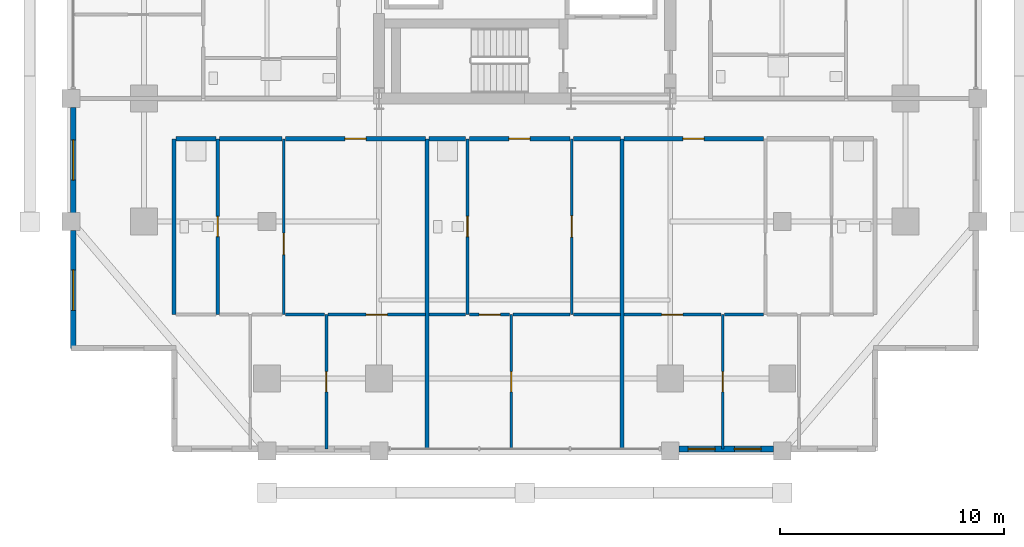
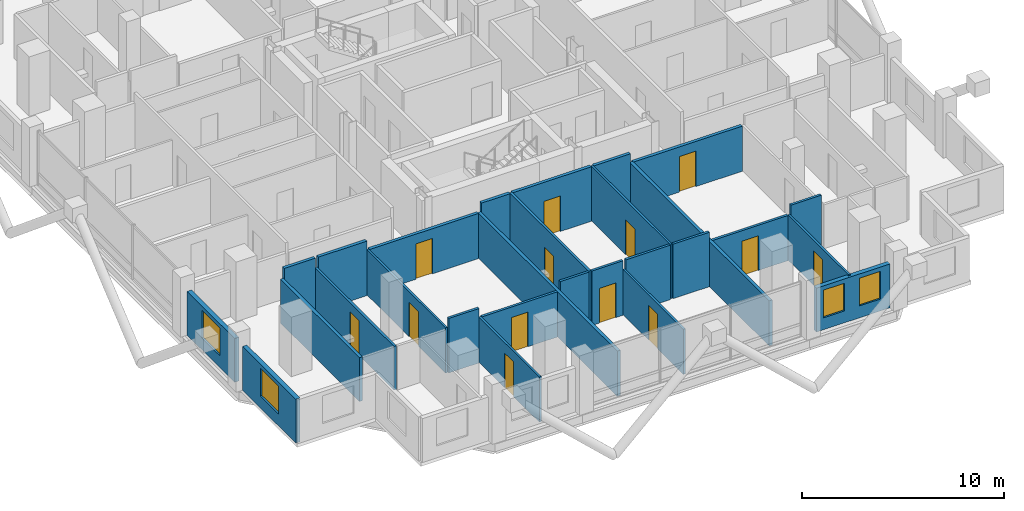
# One storey, part 17 of 23: 28 walls, 13 doors, 4 windows, 17 openings.
"""IFC4 building model written with IfcOpenShell, lengths in metres."""

from ifc_helpers import new_model, si_unit, direction, frame, frame_2d, origin, place, context, subcontext, project, spatial, rectangle, extrude, material, layer, layer_set, type_object, element, fill, save


model = new_model("IFC4")

# Units and contexts
model_context = context("Model", 3, precision=1e-05, world=origin(), true_north=direction((0.0, 1.0)))
body_context = subcontext(model_context, "Body", "Model", "MODEL_VIEW")
ifc_project = project(units=[si_unit("LENGTHUNIT", "METRE"), si_unit("AREAUNIT", "SQUARE_METRE"), si_unit("VOLUMEUNIT", "CUBIC_METRE"), si_unit("PLANEANGLEUNIT", "RADIAN"), si_unit("MASSUNIT", "GRAM", prefix="KILO")], contexts=[model_context])

# Site, building, storey
site_placement = place(None, origin())
site = spatial("IfcSite", under=ifc_project, at=site_placement, CompositionType="ELEMENT")
building_placement = place(site_placement, origin())
building = spatial("IfcBuilding", under=site, at=building_placement, Name="Barlavira Tower and Art Museum", CompositionType="ELEMENT")
storey_placement = place(building_placement, frame((0.0, 0.0, 117.0)))
storey = spatial("IfcBuildingStorey", under=building, at=storey_placement, Name="L29", CompositionType="ELEMENT", Elevation=117.0)

# Wall, opening, door
ifc_material_1 = material(Name="Gypsum acoustic stud partition", Category="gypsum")
ifc_layer_1 = layer(ifc_material_1, 0.1201171875, Name="Gypsum acoustic stud partition")
ifc_layer_set_1 = layer_set([ifc_layer_1], Name="Gypsum acoustic stud partition")
wall_type_1 = type_object("IfcWallType", Name="Apartment Internal Acoustic Partition 120", PredefinedType="PARTITIONING", material=ifc_layer_set_1)
wall_1_placement = place(storey_placement, frame((-10.75, -17.14990234375, 0.0), z_axis=(0.0, 0.0, 1.0), x_axis=(0.0, 1.0, 0.0)))
wall_1 = element("IfcWall", 1, at=wall_1_placement, inside=storey, type_object=wall_type_1, Name="L29 Partition Wall 8", PredefinedType="PARTITIONING", context=body_context, shape_type="SweptSolid", body=[
    extrude(rectangle(XDim=7.849853515625, YDim=0.1201171875, at=frame_2d((3.9248046875, 0.0))), origin(), (0.0, 0.0, 1.0), 2.736083984375),
])
opening_1_placement = place(wall_1_placement, frame((2.681396484375, 0.0, 0.0)))
opening_1 = element("IfcOpeningElement", 2, at=opening_1_placement, cuts=wall_1, Name="Opening D-02", PredefinedType="OPENING", context=body_context, shape_type="SweptSolid", body=[
    extrude(rectangle(XDim=0.949951171875, YDim=2.10009765625, at=frame_2d((0.47509765625, 1.050048828125))), frame((0.0, 0.070068359375, 0.0), z_axis=(0.0, -1.0, 0.0), x_axis=(1.0, 0.0, 0.0)), (0.0, 0.0, 1.0), 0.14013671875),
])
ifc_material_2 = material(Name="Engineered coastal hardwood", Category="wood")
door_type_1 = type_object("IfcDoorType", Name="Living and Salon Glazed-Leaf Door 950x2100", OperationType="NOTDEFINED", PredefinedType="DOOR", material=ifc_material_2)
door_1_placement = place(opening_1_placement, origin())
door_1 = element("IfcDoor", 3, at=door_1_placement, inside=storey, type_object=door_type_1, Name="Apartment S1 Kitchen Door", OperationType="SINGLE_SWING_RIGHT", OverallHeight=2.10009765625, OverallWidth=0.949951171875, PredefinedType="DOOR", context=body_context, shape_type="SweptSolid", body=[
    extrude(rectangle(XDim=0.949951171875, YDim=2.10009765625, at=frame_2d((0.47509765625, 1.050048828125))), frame((0.0, 0.02490234375, 0.0), z_axis=(0.0, -1.0, 0.0), x_axis=(1.0, 0.0, 0.0)), (0.0, 0.0, 1.0), 0.050048828125),
])
fill(opening_1, door_1)

wall_2_placement = place(storey_placement, frame((-8.85009765625, -23.14990234375, 0.0), z_axis=(0.0, 0.0, 1.0), x_axis=(0.0, 1.0, 0.0)))
wall_2 = element("IfcWall", 4, at=wall_2_placement, inside=storey, type_object=wall_type_1, Name="L29 Partition Wall 9", PredefinedType="PARTITIONING", context=body_context, shape_type="SweptSolid", body=[
    extrude(rectangle(XDim=6.0, YDim=0.1201171875, at=frame_2d((3.0, 0.0))), origin(), (0.0, 0.0, 1.0), 2.736083984375),
])
opening_2_placement = place(wall_2_placement, frame((2.550048828125, 0.0, 0.0)))
opening_2 = element("IfcOpeningElement", 5, at=opening_2_placement, cuts=wall_2, Name="Opening D-01", PredefinedType="OPENING", context=body_context, shape_type="SweptSolid", body=[
    extrude(rectangle(XDim=0.89990234375, YDim=2.10009765625, at=frame_2d((0.449951171875, 1.050048828125))), frame((0.0, 0.070068359375, 0.0), z_axis=(0.0, -1.0, 0.0), x_axis=(1.0, 0.0, 0.0)), (0.0, 0.0, 1.0), 0.14013671875),
])
door_type_2 = type_object("IfcDoorType", Name="Internal Bedroom Timber Flush Door 900x2100", OperationType="NOTDEFINED", PredefinedType="DOOR", material=ifc_material_2)
door_2_placement = place(opening_2_placement, origin())
door_2 = element("IfcDoor", 6, at=door_2_placement, inside=storey, type_object=door_type_2, Name="Apartment S1 Bedroom 1 Door", OperationType="SINGLE_SWING_LEFT", OverallHeight=2.10009765625, OverallWidth=0.89990234375, PredefinedType="DOOR", context=body_context, shape_type="SweptSolid", body=[
    extrude(rectangle(XDim=0.89990234375, YDim=2.10009765625, at=frame_2d((0.449951171875, 1.050048828125))), frame((0.0, 0.02490234375, 0.0), z_axis=(0.0, -1.0, 0.0), x_axis=(1.0, 0.0, 0.0)), (0.0, 0.0, 1.0), 0.050048828125),
])
fill(opening_2, door_2)

wall_3_placement = place(storey_placement, frame((-0.60009765625, -23.14990234375, 0.0), z_axis=(0.0, 0.0, 1.0), x_axis=(0.0, 1.0, 0.0)))
wall_3 = element("IfcWall", 7, at=wall_3_placement, inside=storey, type_object=wall_type_1, Name="L29 Partition Wall 15", PredefinedType="PARTITIONING", context=body_context, shape_type="SweptSolid", body=[
    extrude(rectangle(XDim=6.0, YDim=0.1201171875, at=frame_2d((3.0, 0.0))), origin(), (0.0, 0.0, 1.0), 2.736083984375),
])
opening_3_placement = place(wall_3_placement, frame((2.550048828125, 0.0, 0.0)))
opening_3 = element("IfcOpeningElement", 8, at=opening_3_placement, cuts=wall_3, Name="Opening D-01", PredefinedType="OPENING", context=body_context, shape_type="SweptSolid", body=[
    extrude(rectangle(XDim=0.89990234375, YDim=2.10009765625, at=frame_2d((0.449951171875, 1.050048828125))), frame((0.0, 0.070068359375, 0.0), z_axis=(0.0, -1.0, 0.0), x_axis=(1.0, 0.0, 0.0)), (0.0, 0.0, 1.0), 0.14013671875),
])
door_3_placement = place(opening_3_placement, origin())
door_3 = element("IfcDoor", 9, at=door_3_placement, inside=storey, type_object=door_type_2, Name="Apartment S2 Bedroom 1 Door", OperationType="SINGLE_SWING_LEFT", OverallHeight=2.10009765625, OverallWidth=0.89990234375, PredefinedType="DOOR", context=body_context, shape_type="SweptSolid", body=[
    extrude(rectangle(XDim=0.89990234375, YDim=2.10009765625, at=frame_2d((0.449951171875, 1.050048828125))), frame((0.0, 0.02490234375, 0.0), z_axis=(0.0, -1.0, 0.0), x_axis=(1.0, 0.0, 0.0)), (0.0, 0.0, 1.0), 0.050048828125),
])
fill(opening_3, door_3)

wall_4_placement = place(storey_placement, frame((2.10009765625, -17.14990234375, 0.0), z_axis=(0.0, 0.0, 1.0), x_axis=(0.0, 1.0, 0.0)))
wall_4 = element("IfcWall", 10, at=wall_4_placement, inside=storey, type_object=wall_type_1, Name="L29 Partition Wall 17", PredefinedType="PARTITIONING", context=body_context, shape_type="SweptSolid", body=[
    extrude(rectangle(XDim=7.849853515625, YDim=0.1201171875, at=frame_2d((3.9248046875, 0.0))), origin(), (0.0, 0.0, 1.0), 3.300048828125),
])
opening_4_placement = place(wall_4_placement, frame((3.455078125, 0.0, 0.0)))
opening_4 = element("IfcOpeningElement", 11, at=opening_4_placement, cuts=wall_4, Name="Opening D-02", PredefinedType="OPENING", context=body_context, shape_type="SweptSolid", body=[
    extrude(rectangle(XDim=0.949951171875, YDim=2.10009765625, at=frame_2d((0.47509765625, 1.050048828125))), frame((0.0, 0.070068359375, 0.0), z_axis=(0.0, -1.0, 0.0), x_axis=(1.0, 0.0, 0.0)), (0.0, 0.0, 1.0), 0.14013671875),
])
door_4_placement = place(opening_4_placement, origin())
door_4 = element("IfcDoor", 12, at=door_4_placement, inside=storey, type_object=door_type_1, Name="Apartment S2 Kitchen Door", OperationType="SINGLE_SWING_LEFT", OverallHeight=2.10009765625, OverallWidth=0.949951171875, PredefinedType="DOOR", context=body_context, shape_type="SweptSolid", body=[
    extrude(rectangle(XDim=0.949951171875, YDim=2.10009765625, at=frame_2d((0.47509765625, 1.050048828125))), frame((0.0, 0.02490234375, 0.0), z_axis=(0.0, -1.0, 0.0), x_axis=(1.0, 0.0, 0.0)), (0.0, 0.0, 1.0), 0.050048828125),
])
fill(opening_4, door_4)

wall_5_placement = place(storey_placement, frame((8.85009765625, -23.14990234375, 0.0), z_axis=(0.0, 0.0, 1.0), x_axis=(0.0, 1.0, 0.0)))
wall_5 = element("IfcWall", 13, at=wall_5_placement, inside=storey, type_object=wall_type_1, Name="L29 Partition Wall 22", PredefinedType="PARTITIONING", context=body_context, shape_type="SweptSolid", body=[
    extrude(rectangle(XDim=6.0, YDim=0.1201171875, at=frame_2d((3.0, 0.0))), origin(), (0.0, 0.0, 1.0), 2.736083984375),
])
opening_5_placement = place(wall_5_placement, frame((2.550048828125, 0.0, 0.0)))
opening_5 = element("IfcOpeningElement", 14, at=opening_5_placement, cuts=wall_5, Name="Opening D-01", PredefinedType="OPENING", context=body_context, shape_type="SweptSolid", body=[
    extrude(rectangle(XDim=0.89990234375, YDim=2.10009765625, at=frame_2d((0.449951171875, 1.050048828125))), frame((0.0, 0.070068359375, 0.0), z_axis=(0.0, -1.0, 0.0), x_axis=(1.0, 0.0, 0.0)), (0.0, 0.0, 1.0), 0.14013671875),
])
door_5_placement = place(opening_5_placement, origin())
door_5 = element("IfcDoor", 15, at=door_5_placement, inside=storey, type_object=door_type_2, Name="Apartment S3 Bedroom 1 Door", OperationType="SINGLE_SWING_RIGHT", OverallHeight=2.10009765625, OverallWidth=0.89990234375, PredefinedType="DOOR", context=body_context, shape_type="SweptSolid", body=[
    extrude(rectangle(XDim=0.89990234375, YDim=2.10009765625, at=frame_2d((0.449951171875, 1.050048828125))), frame((0.0, 0.02490234375, 0.0), z_axis=(0.0, -1.0, 0.0), x_axis=(1.0, 0.0, 0.0)), (0.0, 0.0, 1.0), 0.050048828125),
])
fill(opening_5, door_5)

# Walls
ifc_layer_2 = layer(ifc_material_1, 0.179931640625, Name="Gypsum acoustic stud partition")
ifc_layer_set_2 = layer_set([ifc_layer_2], Name="Gypsum acoustic stud partition")
wall_type_2 = type_object("IfcWallType", Name="Inter-Tenancy Party Partition Wall 180", PredefinedType="PARTITIONING", material=ifc_layer_set_2)
wall_6_placement = place(storey_placement, frame((-15.64990234375, -17.14990234375, 0.0), z_axis=(0.0, 0.0, 1.0), x_axis=(0.0, 1.0, 0.0)))
element("IfcWall", 16, at=wall_6_placement, inside=storey, type_object=wall_type_2, Name="L29 Partition Wall 1", PredefinedType="PARTITIONING", context=body_context, shape_type="SweptSolid", body=[
    extrude(rectangle(XDim=7.849853515625, YDim=0.179931640625, at=frame_2d((3.9248046875, 0.0))), origin(), (0.0, 0.0, 1.0), 2.656005859375),
])
for number, where, z_axis, x_axis, name in (
    (17, (-4.35009765625, -23.14990234375, 0.0), (0.0, 0.0, 1.0), (0.0, 1.0, 0.0), "L29 Partition Wall 12"),
    (18, (4.35009765625, -23.14990234375, 0.0), (0.0, 0.0, 1.0), (0.0, 1.0, 0.0), "L29 Partition Wall 19"),
):
    element("IfcWall", number, at=place(storey_placement, frame(where, z_axis=z_axis, x_axis=x_axis)), inside=storey, type_object=wall_type_2, Name=name, PredefinedType="PARTITIONING", context=body_context, shape_type="SweptSolid", body=[
        extrude(rectangle(XDim=13.849853515625, YDim=0.179931640625, at=frame_2d((6.9248046875, 0.0))), origin(), (0.0, 0.0, 1.0), 2.736083984375),
    ])
wall_7_placement = place(storey_placement, frame((-15.570068359375, -9.300048828125, 0.0), z_axis=(0.0, 0.0, 1.0), x_axis=(1.0, 0.0, 0.0)))
element("IfcWall", 19, at=wall_7_placement, inside=storey, type_object=wall_type_2, Name="L29 Partition Wall 44", PredefinedType="PARTITIONING", context=body_context, shape_type="SweptSolid", body=[
    extrude(rectangle(XDim=1.7900390625, YDim=0.179931640625, at=frame_2d((0.89501953125, 0.0))), origin(), (0.0, 0.0, 1.0), 3.300048828125),
])
wall_8_placement = place(storey_placement, frame((-13.6201171875, -9.300048828125, 0.0), z_axis=(0.0, 0.0, 1.0), x_axis=(1.0, 0.0, 0.0)))
element("IfcWall", 20, at=wall_8_placement, inside=storey, type_object=wall_type_2, Name="L29 Partition Wall 45", PredefinedType="PARTITIONING", context=body_context, shape_type="SweptSolid", body=[
    extrude(rectangle(XDim=2.7900390625, YDim=0.179931640625, at=frame_2d((1.39501953125, 0.0))), origin(), (0.0, 0.0, 1.0), 3.300048828125),
])

# Wall, opening, door
wall_9_placement = place(storey_placement, frame((-10.669921875, -9.300048828125, 0.0), z_axis=(0.0, 0.0, 1.0), x_axis=(1.0, 0.0, 0.0)))
wall_9 = element("IfcWall", 21, at=wall_9_placement, inside=storey, type_object=wall_type_2, Name="L29 Partition Wall 46", PredefinedType="PARTITIONING", context=body_context, shape_type="SweptSolid", body=[
    extrude(rectangle(XDim=6.239990234375, YDim=0.179931640625, at=frame_2d((3.1201171875, 0.0))), origin(), (0.0, 0.0, 1.0), 2.736083984375),
])
opening_6_placement = place(wall_9_placement, frame((2.64501953125, 0.0, 0.0)))
opening_6 = element("IfcOpeningElement", 22, at=opening_6_placement, cuts=wall_9, Name="Opening FD-60", PredefinedType="OPENING", context=body_context, shape_type="SweptSolid", body=[
    extrude(rectangle(XDim=0.949951171875, YDim=2.14990234375, at=frame_2d((0.47509765625, 1.074951171875))), frame((0.0, 0.10009765625, 0.0), z_axis=(0.0, -1.0, 0.0), x_axis=(1.0, 0.0, 0.0)), (0.0, 0.0, 1.0), 0.199951171875),
])
ifc_material_3 = material(Name="Brushed stainless steel", Category="steel")
door_type_3 = type_object("IfcDoorType", Name="Apartment Entrance and Riser Fire Door 950x2150 FD60S", OperationType="NOTDEFINED", PredefinedType="DOOR", material=ifc_material_3)
door_6_placement = place(opening_6_placement, origin())
door_6 = element("IfcDoor", 23, at=door_6_placement, inside=storey, type_object=door_type_3, Name="Apartment Entrance Hall S1 Door", OperationType="SINGLE_SWING_LEFT", OverallHeight=2.14990234375, OverallWidth=0.949951171875, PredefinedType="DOOR", context=body_context, shape_type="SweptSolid", body=[
    extrude(rectangle(XDim=0.949951171875, YDim=2.14990234375, at=frame_2d((0.47509765625, 1.074951171875))), frame((0.0, 0.02490234375, 0.0), z_axis=(0.0, -1.0, 0.0), x_axis=(1.0, 0.0, 0.0)), (0.0, 0.0, 1.0), 0.050048828125),
])
fill(opening_6, door_6)

# Wall
wall_10_placement = place(storey_placement, frame((-4.27001953125, -9.300048828125, 0.0), z_axis=(0.0, 0.0, 1.0), x_axis=(1.0, 0.0, 0.0)))
element("IfcWall", 24, at=wall_10_placement, inside=storey, type_object=wall_type_2, Name="L29 Partition Wall 47", PredefinedType="PARTITIONING", context=body_context, shape_type="SweptSolid", body=[
    extrude(rectangle(XDim=1.64013671875, YDim=0.179931640625, at=frame_2d((0.820068359375, 0.0))), origin(), (0.0, 0.0, 1.0), 3.300048828125),
])

# Wall, opening, door
wall_11_placement = place(storey_placement, frame((-2.469970703125, -9.300048828125, 0.0), z_axis=(0.0, 0.0, 1.0), x_axis=(1.0, 0.0, 0.0)))
wall_11 = element("IfcWall", 25, at=wall_11_placement, inside=storey, type_object=wall_type_2, Name="L29 Partition Wall 48", PredefinedType="PARTITIONING", context=body_context, shape_type="SweptSolid", body=[
    extrude(rectangle(XDim=4.489990234375, YDim=0.179931640625, at=frame_2d((2.2451171875, 0.0))), origin(), (0.0, 0.0, 1.0), 3.300048828125),
])
opening_7_placement = place(wall_11_placement, frame((1.764892578125, 0.0, 0.0)))
opening_7 = element("IfcOpeningElement", 26, at=opening_7_placement, cuts=wall_11, Name="Opening FD-60", PredefinedType="OPENING", context=body_context, shape_type="SweptSolid", body=[
    extrude(rectangle(XDim=0.949951171875, YDim=2.14990234375, at=frame_2d((0.47509765625, 1.074951171875))), frame((0.0, 0.10009765625, 0.0), z_axis=(0.0, -1.0, 0.0), x_axis=(1.0, 0.0, 0.0)), (0.0, 0.0, 1.0), 0.199951171875),
])
door_7_placement = place(opening_7_placement, origin())
door_7 = element("IfcDoor", 27, at=door_7_placement, inside=storey, type_object=door_type_3, Name="Apartment Entrance Hall S2 Door", OperationType="SINGLE_SWING_RIGHT", OverallHeight=2.14990234375, OverallWidth=0.949951171875, PredefinedType="DOOR", context=body_context, shape_type="SweptSolid", body=[
    extrude(rectangle(XDim=0.949951171875, YDim=2.14990234375, at=frame_2d((0.47509765625, 1.074951171875))), frame((0.0, 0.02490234375, 0.0), z_axis=(0.0, -1.0, 0.0), x_axis=(1.0, 0.0, 0.0)), (0.0, 0.0, 1.0), 0.050048828125),
])
fill(opening_7, door_7)

# Wall
wall_12_placement = place(storey_placement, frame((2.179931640625, -9.300048828125, 0.0), z_axis=(0.0, 0.0, 1.0), x_axis=(1.0, 0.0, 0.0)))
element("IfcWall", 28, at=wall_12_placement, inside=storey, type_object=wall_type_2, Name="L29 Partition Wall 49", PredefinedType="PARTITIONING", context=body_context, shape_type="SweptSolid", body=[
    extrude(rectangle(XDim=2.090087890625, YDim=0.179931640625, at=frame_2d((1.044921875, 0.0))), origin(), (0.0, 0.0, 1.0), 3.300048828125),
])

# Wall, opening, door
wall_13_placement = place(storey_placement, frame((4.429931640625, -9.300048828125, 0.0), z_axis=(0.0, 0.0, 1.0), x_axis=(1.0, 0.0, 0.0)))
wall_13 = element("IfcWall", 29, at=wall_13_placement, inside=storey, type_object=wall_type_2, Name="L29 Partition Wall 50", PredefinedType="PARTITIONING", context=body_context, shape_type="SweptSolid", body=[
    extrude(rectangle(XDim=6.239990234375, YDim=0.179931640625, at=frame_2d((3.1201171875, 0.0))), origin(), (0.0, 0.0, 1.0), 2.736083984375),
])
opening_8_placement = place(wall_13_placement, frame((2.635009765625, 0.0, 0.0)))
opening_8 = element("IfcOpeningElement", 30, at=opening_8_placement, cuts=wall_13, Name="Opening FD-60", PredefinedType="OPENING", context=body_context, shape_type="SweptSolid", body=[
    extrude(rectangle(XDim=0.949951171875, YDim=2.14990234375, at=frame_2d((0.47509765625, 1.074951171875))), frame((0.0, 0.10009765625, 0.0), z_axis=(0.0, -1.0, 0.0), x_axis=(1.0, 0.0, 0.0)), (0.0, 0.0, 1.0), 0.199951171875),
])
door_8_placement = place(opening_8_placement, origin())
door_8 = element("IfcDoor", 31, at=door_8_placement, inside=storey, type_object=door_type_3, Name="Apartment Entrance Hall S3 Door", OperationType="SINGLE_SWING_RIGHT", OverallHeight=2.14990234375, OverallWidth=0.949951171875, PredefinedType="DOOR", context=body_context, shape_type="SweptSolid", body=[
    extrude(rectangle(XDim=0.949951171875, YDim=2.14990234375, at=frame_2d((0.47509765625, 1.074951171875))), frame((0.0, 0.02490234375, 0.0), z_axis=(0.0, -1.0, 0.0), x_axis=(1.0, 0.0, 0.0)), (0.0, 0.0, 1.0), 0.050048828125),
])
fill(opening_8, door_8)

ifc_layer_3 = layer(ifc_material_1, 0.139892578125, Name="Gypsum acoustic stud partition")
ifc_layer_set_3 = layer_set([ifc_layer_3], Name="Gypsum acoustic stud partition")
wall_type_3 = type_object("IfcWallType", Name="Moisture-Resistant Bathroom Partition 140", PredefinedType="PARTITIONING", material=ifc_layer_set_3)
wall_14_placement = place(storey_placement, frame((-13.699951171875, -17.14990234375, 0.0), z_axis=(0.0, 0.0, 1.0), x_axis=(0.0, 1.0, 0.0)))
wall_14 = element("IfcWall", 32, at=wall_14_placement, inside=storey, type_object=wall_type_3, Name="L29 Partition Wall 4", PredefinedType="PARTITIONING", context=body_context, shape_type="SweptSolid", body=[
    extrude(rectangle(XDim=7.849853515625, YDim=0.139892578125, at=frame_2d((3.9248046875, 0.0))), origin(), (0.0, 0.0, 1.0), 2.656005859375),
])
opening_9_placement = place(wall_14_placement, frame((3.47998046875, 0.0, 0.0)))
opening_9 = element("IfcOpeningElement", 33, at=opening_9_placement, cuts=wall_14, Name="Opening D-WC", PredefinedType="OPENING", context=body_context, shape_type="SweptSolid", body=[
    extrude(rectangle(XDim=0.89990234375, YDim=2.10009765625, at=frame_2d((0.449951171875, 1.050048828125))), frame((0.0, 0.080078125, 0.0), z_axis=(0.0, -1.0, 0.0), x_axis=(1.0, 0.0, 0.0)), (0.0, 0.0, 1.0), 0.159912109375),
])
door_type_4 = type_object("IfcDoorType", Name="Accessible Bathroom Flush Door 900x2100", OperationType="NOTDEFINED", PredefinedType="DOOR", material=ifc_material_2)
door_9_placement = place(opening_9_placement, origin())
door_9 = element("IfcDoor", 34, at=door_9_placement, inside=storey, type_object=door_type_4, Name="Apartment S1 Hall Bathroom Door", OperationType="SINGLE_SWING_LEFT", OverallHeight=2.10009765625, OverallWidth=0.89990234375, PredefinedType="DOOR", context=body_context, shape_type="SweptSolid", body=[
    extrude(rectangle(XDim=0.89990234375, YDim=2.10009765625, at=frame_2d((0.449951171875, 1.050048828125))), frame((0.0, 0.02490234375, 0.0), z_axis=(0.0, -1.0, 0.0), x_axis=(1.0, 0.0, 0.0)), (0.0, 0.0, 1.0), 0.050048828125),
])
fill(opening_9, door_9)

wall_15_placement = place(storey_placement, frame((-2.550048828125, -17.14990234375, 0.0), z_axis=(0.0, 0.0, 1.0), x_axis=(0.0, 1.0, 0.0)))
wall_15 = element("IfcWall", 35, at=wall_15_placement, inside=storey, type_object=wall_type_3, Name="L29 Partition Wall 14", PredefinedType="PARTITIONING", context=body_context, shape_type="SweptSolid", body=[
    extrude(rectangle(XDim=7.849853515625, YDim=0.139892578125, at=frame_2d((3.9248046875, 0.0))), origin(), (0.0, 0.0, 1.0), 3.300048828125),
])
opening_10_placement = place(wall_15_placement, frame((3.47998046875, 0.0, 0.0)))
opening_10 = element("IfcOpeningElement", 36, at=opening_10_placement, cuts=wall_15, Name="Opening D-WC", PredefinedType="OPENING", context=body_context, shape_type="SweptSolid", body=[
    extrude(rectangle(XDim=0.89990234375, YDim=2.10009765625, at=frame_2d((0.449951171875, 1.050048828125))), frame((0.0, 0.080078125, 0.0), z_axis=(0.0, -1.0, 0.0), x_axis=(1.0, 0.0, 0.0)), (0.0, 0.0, 1.0), 0.159912109375),
])
door_10_placement = place(opening_10_placement, origin())
door_10 = element("IfcDoor", 37, at=door_10_placement, inside=storey, type_object=door_type_4, Name="Apartment S2 Hall Bathroom Door", OperationType="SINGLE_SWING_LEFT", OverallHeight=2.10009765625, OverallWidth=0.89990234375, PredefinedType="DOOR", context=body_context, shape_type="SweptSolid", body=[
    extrude(rectangle(XDim=0.89990234375, YDim=2.10009765625, at=frame_2d((0.449951171875, 1.050048828125))), frame((0.0, 0.02490234375, 0.0), z_axis=(0.0, -1.0, 0.0), x_axis=(1.0, 0.0, 0.0)), (0.0, 0.0, 1.0), 0.050048828125),
])
fill(opening_10, door_10)

# Wall
wall_16_placement = place(storey_placement, frame((-10.669921875, -17.14990234375, 0.0), z_axis=(0.0, 0.0, 1.0), x_axis=(1.0, 0.0, 0.0)))
element("IfcWall", 38, at=wall_16_placement, inside=storey, type_object=wall_type_3, Name="L29 Partition Wall 33", PredefinedType="PARTITIONING", context=body_context, shape_type="SweptSolid", body=[
    extrude(rectangle(XDim=1.739990234375, YDim=0.139892578125, at=frame_2d((0.8701171875, 0.0))), origin(), (0.0, 0.0, 1.0), 3.300048828125),
])

# Wall, opening, door
wall_17_placement = place(storey_placement, frame((-8.77001953125, -17.14990234375, 0.0), z_axis=(0.0, 0.0, 1.0), x_axis=(1.0, 0.0, 0.0)))
wall_17 = element("IfcWall", 39, at=wall_17_placement, inside=storey, type_object=wall_type_3, Name="L29 Partition Wall 34", PredefinedType="PARTITIONING", context=body_context, shape_type="SweptSolid", body=[
    extrude(rectangle(XDim=4.340087890625, YDim=0.139892578125, at=frame_2d((2.169921875, 0.0))), origin(), (0.0, 0.0, 1.0), 2.736083984375),
])
opening_11_placement = place(wall_17_placement, frame((1.695068359375, 0.0, 0.0)))
opening_11 = element("IfcOpeningElement", 40, at=opening_11_placement, cuts=wall_17, Name="Opening D-02", PredefinedType="OPENING", context=body_context, shape_type="SweptSolid", body=[
    extrude(rectangle(XDim=0.949951171875, YDim=2.10009765625, at=frame_2d((0.47509765625, 1.050048828125))), frame((0.0, 0.080078125, 0.0), z_axis=(0.0, -1.0, 0.0), x_axis=(1.0, 0.0, 0.0)), (0.0, 0.0, 1.0), 0.159912109375),
])
door_11_placement = place(opening_11_placement, origin())
door_11 = element("IfcDoor", 41, at=door_11_placement, inside=storey, type_object=door_type_1, Name="Apartment S1 Living Lounge Door", OperationType="SINGLE_SWING_RIGHT", OverallHeight=2.10009765625, OverallWidth=0.949951171875, PredefinedType="DOOR", context=body_context, shape_type="SweptSolid", body=[
    extrude(rectangle(XDim=0.949951171875, YDim=2.10009765625, at=frame_2d((0.47509765625, 1.050048828125))), frame((0.0, 0.02490234375, 0.0), z_axis=(0.0, -1.0, 0.0), x_axis=(1.0, 0.0, 0.0)), (0.0, 0.0, 1.0), 0.050048828125),
])
fill(opening_11, door_11)

# Wall
wall_18_placement = place(storey_placement, frame((-4.27001953125, -17.14990234375, 0.0), z_axis=(0.0, 0.0, 1.0), x_axis=(1.0, 0.0, 0.0)))
element("IfcWall", 42, at=wall_18_placement, inside=storey, type_object=wall_type_3, Name="L29 Partition Wall 35", PredefinedType="PARTITIONING", context=body_context, shape_type="SweptSolid", body=[
    extrude(rectangle(XDim=1.64013671875, YDim=0.139892578125, at=frame_2d((0.820068359375, 0.0))), origin(), (0.0, 0.0, 1.0), 3.300048828125),
])

# Wall, opening, door
wall_19_placement = place(storey_placement, frame((-2.469970703125, -17.14990234375, 0.0), z_axis=(0.0, 0.0, 1.0), x_axis=(1.0, 0.0, 0.0)))
wall_19 = element("IfcWall", 43, at=wall_19_placement, inside=storey, type_object=wall_type_3, Name="L29 Partition Wall 36", PredefinedType="PARTITIONING", context=body_context, shape_type="SweptSolid", body=[
    extrude(rectangle(XDim=1.7900390625, YDim=0.139892578125, at=frame_2d((0.89501953125, 0.0))), origin(), (0.0, 0.0, 1.0), 3.300048828125),
])
opening_12_placement = place(wall_19_placement, frame((0.43505859375, 0.0, 0.0)))
opening_12 = element("IfcOpeningElement", 44, at=opening_12_placement, cuts=wall_19, Name="Opening D-02", PredefinedType="OPENING", context=body_context, shape_type="SweptSolid", body=[
    extrude(rectangle(XDim=0.949951171875, YDim=2.10009765625, at=frame_2d((0.47509765625, 1.050048828125))), frame((0.0, 0.080078125, 0.0), z_axis=(0.0, -1.0, 0.0), x_axis=(1.0, 0.0, 0.0)), (0.0, 0.0, 1.0), 0.159912109375),
])
door_12_placement = place(opening_12_placement, origin())
door_12 = element("IfcDoor", 45, at=door_12_placement, inside=storey, type_object=door_type_1, Name="Apartment S2 Living Lounge Door", OperationType="SINGLE_SWING_RIGHT", OverallHeight=2.10009765625, OverallWidth=0.949951171875, PredefinedType="DOOR", context=body_context, shape_type="SweptSolid", body=[
    extrude(rectangle(XDim=0.949951171875, YDim=2.10009765625, at=frame_2d((0.47509765625, 1.050048828125))), frame((0.0, 0.02490234375, 0.0), z_axis=(0.0, -1.0, 0.0), x_axis=(1.0, 0.0, 0.0)), (0.0, 0.0, 1.0), 0.050048828125),
])
fill(opening_12, door_12)

# Walls
wall_20_placement = place(storey_placement, frame((-0.52001953125, -17.14990234375, 0.0), z_axis=(0.0, 0.0, 1.0), x_axis=(1.0, 0.0, 0.0)))
element("IfcWall", 46, at=wall_20_placement, inside=storey, type_object=wall_type_3, Name="L29 Partition Wall 37", PredefinedType="PARTITIONING", context=body_context, shape_type="SweptSolid", body=[
    extrude(rectangle(XDim=2.5400390625, YDim=0.139892578125, at=frame_2d((1.27001953125, 0.0))), origin(), (0.0, 0.0, 1.0), 3.300048828125),
])
wall_21_placement = place(storey_placement, frame((2.179931640625, -17.14990234375, 0.0), z_axis=(0.0, 0.0, 1.0), x_axis=(1.0, 0.0, 0.0)))
element("IfcWall", 47, at=wall_21_placement, inside=storey, type_object=wall_type_3, Name="L29 Partition Wall 38", PredefinedType="PARTITIONING", context=body_context, shape_type="SweptSolid", body=[
    extrude(rectangle(XDim=2.090087890625, YDim=0.139892578125, at=frame_2d((1.044921875, 0.0))), origin(), (0.0, 0.0, 1.0), 3.300048828125),
])

# Wall, opening, door
wall_22_placement = place(storey_placement, frame((4.429931640625, -17.14990234375, 0.0), z_axis=(0.0, 0.0, 1.0), x_axis=(1.0, 0.0, 0.0)))
wall_22 = element("IfcWall", 48, at=wall_22_placement, inside=storey, type_object=wall_type_3, Name="L29 Partition Wall 39", PredefinedType="PARTITIONING", context=body_context, shape_type="SweptSolid", body=[
    extrude(rectangle(XDim=4.340087890625, YDim=0.139892578125, at=frame_2d((2.169921875, 0.0))), origin(), (0.0, 0.0, 1.0), 2.736083984375),
])
opening_13_placement = place(wall_22_placement, frame((1.68505859375, 0.0, 0.0)))
opening_13 = element("IfcOpeningElement", 49, at=opening_13_placement, cuts=wall_22, Name="Opening D-02", PredefinedType="OPENING", context=body_context, shape_type="SweptSolid", body=[
    extrude(rectangle(XDim=0.949951171875, YDim=2.10009765625, at=frame_2d((0.47509765625, 1.050048828125))), frame((0.0, 0.080078125, 0.0), z_axis=(0.0, -1.0, 0.0), x_axis=(1.0, 0.0, 0.0)), (0.0, 0.0, 1.0), 0.159912109375),
])
door_13_placement = place(opening_13_placement, origin())
door_13 = element("IfcDoor", 50, at=door_13_placement, inside=storey, type_object=door_type_1, Name="Apartment S3 Living Lounge Door", OperationType="SINGLE_SWING_LEFT", OverallHeight=2.10009765625, OverallWidth=0.949951171875, PredefinedType="DOOR", context=body_context, shape_type="SweptSolid", body=[
    extrude(rectangle(XDim=0.949951171875, YDim=2.10009765625, at=frame_2d((0.47509765625, 1.050048828125))), frame((0.0, 0.02490234375, 0.0), z_axis=(0.0, -1.0, 0.0), x_axis=(1.0, 0.0, 0.0)), (0.0, 0.0, 1.0), 0.050048828125),
])
fill(opening_13, door_13)

# Wall
wall_23_placement = place(storey_placement, frame((8.929931640625, -17.14990234375, 0.0), z_axis=(0.0, 0.0, 1.0), x_axis=(1.0, 0.0, 0.0)))
element("IfcWall", 51, at=wall_23_placement, inside=storey, type_object=wall_type_3, Name="L29 Partition Wall 40", PredefinedType="PARTITIONING", context=body_context, shape_type="SweptSolid", body=[
    extrude(rectangle(XDim=1.739990234375, YDim=0.139892578125, at=frame_2d((0.8701171875, 0.0))), origin(), (0.0, 0.0, 1.0), 3.300048828125),
])

# Wall, openings, windows
ifc_material_4 = material(Name="Precast concrete C40", Category="concrete")
ifc_layer_4 = layer(ifc_material_4, 0.25, Name="Precast concrete C40")
ifc_layer_set_4 = layer_set([ifc_layer_4], Name="Precast concrete C40")
wall_type_4 = type_object("IfcWallType", Name="Notched Corner Spandrel Wall 250 Precast Concrete C40", PredefinedType="SOLIDWALL", material=ifc_layer_set_4)
wall_24_placement = place(storey_placement, frame((6.89501953125, -23.14990234375, 0.0), z_axis=(0.0, 0.0, 1.0), x_axis=(1.0, 0.0, 0.0)))
wall_24 = element("IfcWall", 52, at=wall_24_placement, inside=storey, type_object=wall_type_4, Name="L29 Coastal Facade Pier Wall CW2-L29-S-4", PredefinedType="SOLIDWALL", context=body_context, shape_type="SweptSolid", body=[
    extrude(rectangle(XDim=4.2099609375, YDim=0.25, at=frame_2d((2.10498046875, 0.0))), origin(), (0.0, 0.0, 1.0), 2.656005859375),
])
opening_14_placement = place(wall_24_placement, frame((0.405029296875, 0.0, 0.719970703125)))
opening_14 = element("IfcOpeningElement", 53, at=opening_14_placement, cuts=wall_24, Name="Opening WN-05", PredefinedType="OPENING", context=body_context, shape_type="SweptSolid", body=[
    extrude(rectangle(XDim=1.199951171875, YDim=1.679931640625, at=frame_2d((0.60009765625, 0.83984375))), frame((0.0, 0.135009765625, 0.0), z_axis=(0.0, -1.0, 0.0), x_axis=(1.0, 0.0, 0.0)), (0.0, 0.0, 1.0), 0.27001953125),
])
opening_15_placement = place(wall_24_placement, frame((2.465087890625, 0.0, 0.719970703125)))
opening_15 = element("IfcOpeningElement", 54, at=opening_15_placement, cuts=wall_24, Name="Opening WN-05", PredefinedType="OPENING", context=body_context, shape_type="SweptSolid", body=[
    extrude(rectangle(XDim=1.199951171875, YDim=1.679931640625, at=frame_2d((0.60009765625, 0.83984375))), frame((0.0, 0.135009765625, 0.0), z_axis=(0.0, -1.0, 0.0), x_axis=(1.0, 0.0, 0.0)), (0.0, 0.0, 1.0), 0.27001953125),
])
ifc_material_5 = material(Name="Low-iron coastal laminated glass", Category="glass")
window_type_1 = type_object("IfcWindowType", Name="Recessed Flank Pier Punch Window 1200x1680", PartitioningType="SINGLE_PANEL", PredefinedType="WINDOW", material=ifc_material_5)
window_1_placement = place(opening_14_placement, origin())
window_1 = element("IfcWindow", 55, at=window_1_placement, inside=storey, type_object=window_type_1, Name="L29 Punched Facade Window EWP-CW2-L29-S-4-1", OverallHeight=1.679931640625, OverallWidth=1.199951171875, PartitioningType="SINGLE_PANEL", PredefinedType="WINDOW", context=body_context, shape_type="SweptSolid", body=[
    extrude(rectangle(XDim=1.199951171875, YDim=1.679931640625, at=frame_2d((0.60009765625, 0.83984375))), frame((0.0, 0.030029296875, 0.0), z_axis=(0.0, -1.0, 0.0), x_axis=(1.0, 0.0, 0.0)), (0.0, 0.0, 1.0), 0.06005859375),
])
fill(opening_14, window_1)
window_2_placement = place(opening_15_placement, origin())
window_2 = element("IfcWindow", 56, at=window_2_placement, inside=storey, type_object=window_type_1, Name="L29 Punched Facade Window EWP-CW2-L29-S-4-2", OverallHeight=1.679931640625, OverallWidth=1.199951171875, PartitioningType="SINGLE_PANEL", PredefinedType="WINDOW", context=body_context, shape_type="SweptSolid", body=[
    extrude(rectangle(XDim=1.199951171875, YDim=1.679931640625, at=frame_2d((0.60009765625, 0.83984375))), frame((0.0, 0.030029296875, 0.0), z_axis=(0.0, -1.0, 0.0), x_axis=(1.0, 0.0, 0.0)), (0.0, 0.0, 1.0), 0.06005859375),
])
fill(opening_15, window_2)

# Wall, opening, window
wall_25_placement = place(storey_placement, frame((-20.14990234375, -7.89501953125, 0.0), z_axis=(0.0, 0.0, 1.0), x_axis=(0.0, -1.0, 0.0)))
wall_25 = element("IfcWall", 57, at=wall_25_placement, inside=storey, type_object=wall_type_4, Name="L29 Coastal Facade Pier Wall CW2-L29-W-4", PredefinedType="SOLIDWALL", context=body_context, shape_type="SweptSolid", body=[
    extrude(rectangle(XDim=4.7099609375, YDim=0.25, at=frame_2d((2.35498046875, 0.0))), origin(), (0.0, 0.0, 1.0), 2.656005859375),
])
opening_16_placement = place(wall_25_placement, frame((1.455078125, 0.0, 0.719970703125)))
opening_16 = element("IfcOpeningElement", 58, at=opening_16_placement, cuts=wall_25, Name="Opening WN-01", PredefinedType="OPENING", context=body_context, shape_type="SweptSolid", body=[
    extrude(rectangle(XDim=1.800048828125, YDim=1.679931640625, at=frame_2d((0.89990234375, 0.83984375))), frame((0.0, 0.135009765625, 0.0), z_axis=(0.0, -1.0, 0.0), x_axis=(1.0, 0.0, 0.0)), (0.0, 0.0, 1.0), 0.27001953125),
])
window_type_2 = type_object("IfcWindowType", Name="Recessed Notch Corner Punch Window 1800x1680", PartitioningType="SINGLE_PANEL", PredefinedType="WINDOW", material=ifc_material_5)
window_3_placement = place(opening_16_placement, origin())
window_3 = element("IfcWindow", 59, at=window_3_placement, inside=storey, type_object=window_type_2, Name="L29 Punched Facade Window EWP-CW2-L29-W-4-1", OverallHeight=1.679931640625, OverallWidth=1.800048828125, PartitioningType="SINGLE_PANEL", PredefinedType="WINDOW", context=body_context, shape_type="SweptSolid", body=[
    extrude(rectangle(XDim=1.800048828125, YDim=1.679931640625, at=frame_2d((0.89990234375, 0.83984375))), frame((0.0, 0.030029296875, 0.0), z_axis=(0.0, -1.0, 0.0), x_axis=(1.0, 0.0, 0.0)), (0.0, 0.0, 1.0), 0.06005859375),
])
fill(opening_16, window_3)

wall_26_placement = place(storey_placement, frame((-20.14990234375, -13.39501953125, 0.0), z_axis=(0.0, 0.0, 1.0), x_axis=(0.0, -1.0, 0.0)))
wall_26 = element("IfcWall", 60, at=wall_26_placement, inside=storey, type_object=wall_type_4, Name="L29 Coastal Facade Pier Wall CW2-L29-W-5", PredefinedType="SOLIDWALL", context=body_context, shape_type="SweptSolid", body=[
    extrude(rectangle(XDim=5.280029296875, YDim=0.25, at=frame_2d((2.64013671875, 0.0))), origin(), (0.0, 0.0, 1.0), 2.656005859375),
])
opening_17_placement = place(wall_26_placement, frame((1.762939453125, 0.0, 0.719970703125)))
opening_17 = element("IfcOpeningElement", 61, at=opening_17_placement, cuts=wall_26, Name="Opening WN-01", PredefinedType="OPENING", context=body_context, shape_type="SweptSolid", body=[
    extrude(rectangle(XDim=1.800048828125, YDim=1.679931640625, at=frame_2d((0.89990234375, 0.83984375))), frame((0.0, 0.135009765625, 0.0), z_axis=(0.0, -1.0, 0.0), x_axis=(1.0, 0.0, 0.0)), (0.0, 0.0, 1.0), 0.27001953125),
])
window_4_placement = place(opening_17_placement, origin())
window_4 = element("IfcWindow", 62, at=window_4_placement, inside=storey, type_object=window_type_2, Name="L29 Punched Facade Window EWP-CW2-L29-W-5-1", OverallHeight=1.679931640625, OverallWidth=1.800048828125, PartitioningType="SINGLE_PANEL", PredefinedType="WINDOW", context=body_context, shape_type="SweptSolid", body=[
    extrude(rectangle(XDim=1.800048828125, YDim=1.679931640625, at=frame_2d((0.89990234375, 0.83984375))), frame((0.0, 0.030029296875, 0.0), z_axis=(0.0, -1.0, 0.0), x_axis=(1.0, 0.0, 0.0)), (0.0, 0.0, 1.0), 0.06005859375),
])
fill(opening_17, window_4)

save(model, "model.ifc")
